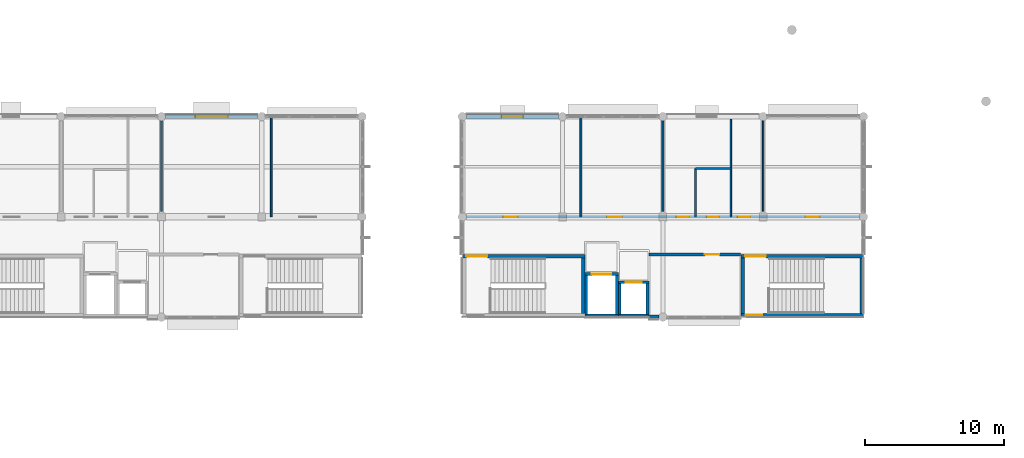
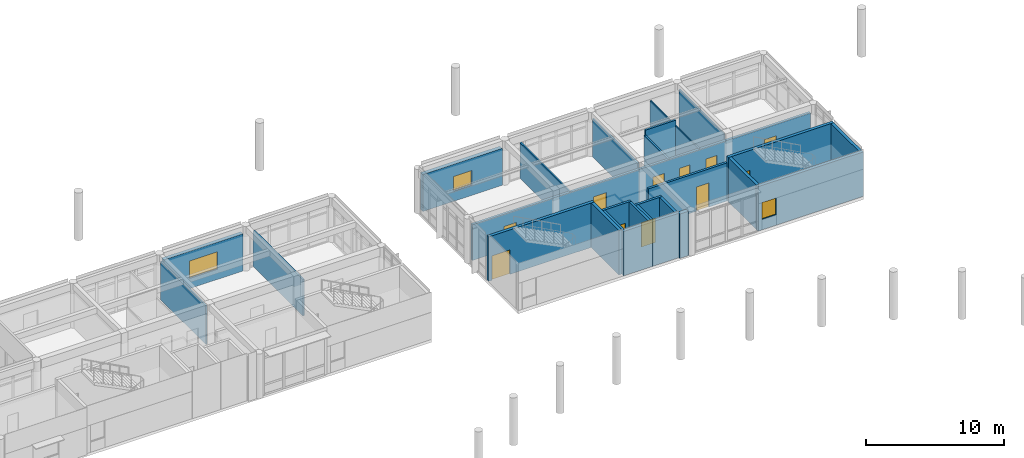
# One storey, part 15 of 29: 27 walls, 11 doors, 3 windows, 14 openings.
"""IFC4 building model written with IfcOpenShell, lengths in metres."""

from ifc_helpers import new_model, si_unit, direction, frame, frame_2d, origin, place, context, subcontext, project, spatial, rectangle, extrude, material, layer, layer_set, type_object, element, fill, save


model = new_model("IFC4")

# Units and contexts
model_context = context("Model", 3, precision=1e-05, world=origin(), true_north=direction((0.0, 1.0)))
body_context = subcontext(model_context, "Body", "Model", "MODEL_VIEW")
ifc_project = project(units=[si_unit("LENGTHUNIT", "METRE"), si_unit("AREAUNIT", "SQUARE_METRE"), si_unit("VOLUMEUNIT", "CUBIC_METRE"), si_unit("PLANEANGLEUNIT", "RADIAN"), si_unit("MASSUNIT", "GRAM", prefix="KILO")], contexts=[model_context])

# Site, building, storey
site_placement = place(None, origin())
site = spatial("IfcSite", under=ifc_project, at=site_placement, CompositionType="ELEMENT")
building_placement = place(site_placement, origin())
building = spatial("IfcBuilding", under=site, at=building_placement, Name="Namkhue Oval Health Centre", CompositionType="ELEMENT")
storey_placement = place(building_placement, frame((0.0, 0.0, 18.0)))
storey = spatial("IfcBuildingStorey", under=building, at=storey_placement, Name="L04", CompositionType="ELEMENT", Elevation=18.0)

# Wall, opening, window
ifc_material_1 = material(Name="Autoclaved aerated concrete blockwork M7.5", Category="masonry")
ifc_layer_1 = layer(ifc_material_1, 0.300048828125)
ifc_layer_set_1 = layer_set([ifc_layer_1], Name="Autoclaved aerated concrete blockwork M7.5")
wall_type_1 = type_object("IfcWallType", Name="EXTERIOR ENVELOPE WALL 300", PredefinedType="STANDARD", material=ifc_layer_set_1)
wall_1_placement = place(storey_placement, frame((78.905029296875, 104.39990234375, 0.0), z_axis=(0.0, 0.0, 1.0), x_axis=(-1.0, 0.0, 0.0)))
wall_1 = element("IfcWall", 1, at=wall_1_placement, inside=storey, type_object=wall_type_1, Name="Volume V2 L04 Exterior Envelope Wall 45", PredefinedType="STANDARD", context=body_context, shape_type="SweptSolid", body=[
    extrude(rectangle(XDim=6.610107421875, YDim=0.300048828125, at=frame_2d((3.30517578125, 0.0))), origin(), (0.0, 0.0, 1.0), 3.2900390625),
])
opening_1_placement = place(wall_1_placement, frame((2.1298828125, 0.0, 0.89990234375)))
opening_1 = element("IfcOpeningElement", 2, at=opening_1_placement, cuts=wall_1, Name="Opening WN-30", PredefinedType="OPENING", context=body_context, shape_type="SweptSolid", body=[
    extrude(rectangle(XDim=2.35009765625, YDim=1.5400390625, at=frame_2d((1.175048828125, 0.77001953125))), frame((0.0, 0.159912109375, 0.0), z_axis=(0.0, -1.0, 0.0), x_axis=(1.0, 0.0, 0.0)), (0.0, 0.0, 1.0), 0.320068359375),
])
ifc_material_2 = material(Name="Thermally broken low-E laminated double glazing", Category="glass")
window_type_1 = type_object("IfcWindowType", Name="EXTERIOR WINDOW 2350X1540", PartitioningType="SINGLE_PANEL", PredefinedType="WINDOW", material=ifc_material_2)
window_1_placement = place(opening_1_placement, origin())
window_1 = element("IfcWindow", 3, at=window_1_placement, inside=storey, type_object=window_type_1, Name="Volume V2 L04 Exterior Window 30", OverallHeight=1.5400390625, OverallWidth=2.35009765625, PartitioningType="SINGLE_PANEL", PredefinedType="WINDOW", context=body_context, shape_type="SweptSolid", body=[
    extrude(rectangle(XDim=2.35009765625, YDim=1.5400390625, at=frame_2d((1.175048828125, 0.77001953125))), frame((0.0, 0.030029296875, 0.0), z_axis=(0.0, -1.0, 0.0), x_axis=(1.0, 0.0, 0.0)), (0.0, 0.0, 1.0), 0.06005859375),
])
fill(opening_1, window_1)

# Wall
ifc_layer_2 = layer(ifc_material_1, 0.31005859375)
ifc_layer_set_2 = layer_set([ifc_layer_2], Name="Autoclaved aerated concrete blockwork M7.5")
wall_type_2 = type_object("IfcWallType", Name="EXTERIOR ENVELOPE WALL 310", PredefinedType="STANDARD", material=ifc_layer_set_2)
wall_2_placement = place(storey_placement, frame((107.001953125, 90.0, 0.0), z_axis=(0.0, 0.0, 1.0), x_axis=(1.0, 0.0, 0.0)))
element("IfcWall", 4, at=wall_2_placement, inside=storey, type_object=wall_type_2, Name="Volume V3 L04 Exterior Envelope Wall 78", PredefinedType="STANDARD", context=body_context, shape_type="SweptSolid", body=[
    extrude(rectangle(XDim=0.703125, YDim=0.31005859375, at=frame_2d((0.3515625, 0.0))), origin(), (0.0, 0.0, 1.0), 3.9150390625),
])

# Wall, opening, window
ifc_layer_3 = layer(ifc_material_1, 0.330078125)
ifc_layer_set_3 = layer_set([ifc_layer_3], Name="Autoclaved aerated concrete blockwork M7.5")
wall_type_3 = type_object("IfcWallType", Name="EXTERIOR ENVELOPE WALL 330", PredefinedType="STANDARD", material=ifc_layer_set_3)
wall_3_placement = place(storey_placement, frame((100.5048828125, 104.39990234375, 0.0), z_axis=(0.0, 0.0, 1.0), x_axis=(-1.0, 0.0, 0.0)))
wall_3 = element("IfcWall", 5, at=wall_3_placement, inside=storey, type_object=wall_type_3, Name="Volume V3 L04 Exterior Envelope Wall 80", PredefinedType="STANDARD", context=body_context, shape_type="SweptSolid", body=[
    extrude(rectangle(XDim=6.60986328125, YDim=0.330078125, at=frame_2d((3.304931640625, 0.0))), origin(), (0.0, 0.0, 1.0), 3.264892578125),
])
opening_2_placement = place(wall_3_placement, frame((2.530029296875, 0.0, 0.89990234375)))
opening_2 = element("IfcOpeningElement", 6, at=opening_2_placement, cuts=wall_3, Name="Opening WN-07", PredefinedType="OPENING", context=body_context, shape_type="SweptSolid", body=[
    extrude(rectangle(XDim=1.550048828125, YDim=1.300048828125, at=frame_2d((0.77490234375, 0.64990234375))), frame((0.0, 0.175048828125, 0.0), z_axis=(0.0, -1.0, 0.0), x_axis=(1.0, 0.0, 0.0)), (0.0, 0.0, 1.0), 0.35009765625),
])
window_type_2 = type_object("IfcWindowType", Name="EXTERIOR WINDOW 1550X1300", PartitioningType="SINGLE_PANEL", PredefinedType="WINDOW", material=ifc_material_2)
window_2_placement = place(opening_2_placement, origin())
window_2 = element("IfcWindow", 7, at=window_2_placement, inside=storey, type_object=window_type_2, Name="Volume V3 L04 Exterior Window 52", OverallHeight=1.300048828125, OverallWidth=1.550048828125, PartitioningType="SINGLE_PANEL", PredefinedType="WINDOW", context=body_context, shape_type="SweptSolid", body=[
    extrude(rectangle(XDim=1.550048828125, YDim=1.300048828125, at=frame_2d((0.77490234375, 0.64990234375))), frame((0.0, 0.030029296875, 0.0), z_axis=(0.0, -1.0, 0.0), x_axis=(1.0, 0.0, 0.0)), (0.0, 0.0, 1.0), 0.06005859375),
])
fill(opening_2, window_2)

# Wall, openings, doors
ifc_material_3 = material(Name="Gypsum plasterboard acoustic partition", Category="gypsum")
ifc_layer_4 = layer(ifc_material_3, 0.195068359375)
ifc_layer_set_4 = layer_set([ifc_layer_4], Name="Gypsum plasterboard acoustic partition")
wall_type_4 = type_object("IfcWallType", Name="FIRE PARTITION WALL 195", PredefinedType="PARTITIONING", material=ifc_layer_set_4)
wall_4_placement = place(storey_placement, frame((93.89990234375, 97.199951171875, 0.0), z_axis=(0.0, 0.0, 1.0), x_axis=(1.0, 0.0, 0.0)))
wall_4 = element("IfcWall", 8, at=wall_4_placement, inside=storey, type_object=wall_type_4, Name="Volume V3 L04 Clinical Partition Wall 143", PredefinedType="PARTITIONING", context=body_context, shape_type="SweptSolid", body=[
    extrude(rectangle(XDim=28.2001953125, YDim=0.195068359375, at=frame_2d((14.10009765625, 0.0))), origin(), (0.0, 0.0, 1.0), 3.1650390625),
])
opening_3_placement = place(wall_4_placement, frame((2.64599609375, 0.0, 0.0)))
opening_3 = element("IfcOpeningElement", 9, at=opening_3_placement, cuts=wall_4, Name="Opening CD-04", PredefinedType="OPENING", context=body_context, shape_type="SweptSolid", body=[
    extrude(rectangle(XDim=1.02001953125, YDim=2.080078125, at=frame_2d((0.510009765625, 1.0400390625))), frame((0.0, 0.107421875, 0.0), z_axis=(0.0, -1.0, 0.0), x_axis=(1.0, 0.0, 0.0)), (0.0, 0.0, 1.0), 0.215087890625),
])
opening_4_placement = place(wall_4_placement, frame((10.10107421875, 0.0, 0.0)))
opening_4 = element("IfcOpeningElement", 10, at=opening_4_placement, cuts=wall_4, Name="Opening CD-05", PredefinedType="OPENING", context=body_context, shape_type="SweptSolid", body=[
    extrude(rectangle(XDim=1.06005859375, YDim=2.080078125, at=frame_2d((0.530029296875, 1.0400390625))), frame((0.0, 0.107421875, 0.0), z_axis=(0.0, -1.0, 0.0), x_axis=(1.0, 0.0, 0.0)), (0.0, 0.0, 1.0), 0.215087890625),
])
opening_5_placement = place(wall_4_placement, frame((15.070068359375, 0.0, 0.0)))
opening_5 = element("IfcOpeningElement", 11, at=opening_5_placement, cuts=wall_4, Name="Opening CD-02", PredefinedType="OPENING", context=body_context, shape_type="SweptSolid", body=[
    extrude(rectangle(XDim=0.93994140625, YDim=2.080078125, at=frame_2d((0.469970703125, 1.0400390625))), frame((0.0, 0.107421875, 0.0), z_axis=(0.0, -1.0, 0.0), x_axis=(1.0, 0.0, 0.0)), (0.0, 0.0, 1.0), 0.215087890625),
])
opening_6_placement = place(wall_4_placement, frame((17.260009765625, 0.0, 0.0)))
opening_6 = element("IfcOpeningElement", 12, at=opening_6_placement, cuts=wall_4, Name="Opening CD-01", PredefinedType="OPENING", context=body_context, shape_type="SweptSolid", body=[
    extrude(rectangle(XDim=0.89990234375, YDim=2.080078125, at=frame_2d((0.449951171875, 1.0400390625))), frame((0.0, 0.107421875, 0.0), z_axis=(0.0, -1.0, 0.0), x_axis=(1.0, 0.0, 0.0)), (0.0, 0.0, 1.0), 0.215087890625),
])
opening_7_placement = place(wall_4_placement, frame((19.489990234375, 0.0, 0.0)))
opening_7 = element("IfcOpeningElement", 13, at=opening_7_placement, cuts=wall_4, Name="Opening CD-07", PredefinedType="OPENING", context=body_context, shape_type="SweptSolid", body=[
    extrude(rectangle(XDim=0.89990234375, YDim=2.1298828125, at=frame_2d((0.449951171875, 1.06494140625))), frame((0.0, 0.107421875, 0.0), z_axis=(0.0, -1.0, 0.0), x_axis=(1.0, 0.0, 0.0)), (0.0, 0.0, 1.0), 0.215087890625),
])
opening_8_placement = place(wall_4_placement, frame((24.35693359375, 0.0, 0.0)))
opening_8 = element("IfcOpeningElement", 14, at=opening_8_placement, cuts=wall_4, Name="Opening CD-09", PredefinedType="OPENING", context=body_context, shape_type="SweptSolid", body=[
    extrude(rectangle(XDim=1.0, YDim=2.1298828125, at=frame_2d((0.5, 1.06494140625))), frame((0.0, 0.107421875, 0.0), z_axis=(0.0, -1.0, 0.0), x_axis=(1.0, 0.0, 0.0)), (0.0, 0.0, 1.0), 0.215087890625),
])
ifc_material_4 = material(Name="High-pressure laminate timber clinical door", Category="wood")
door_type_1 = type_object("IfcDoorType", Name="CLINICAL DOOR 1000X2130", OperationType="NOTDEFINED", PredefinedType="DOOR", material=ifc_material_4)
door_1_placement = place(opening_8_placement, origin())
door_1 = element("IfcDoor", 15, at=door_1_placement, inside=storey, type_object=door_type_1, Name="Volume V3 L04 Health Education Terrace Lounge Door 126", OperationType="SINGLE_SWING_LEFT", OverallHeight=2.1298828125, OverallWidth=1.0, PredefinedType="DOOR", context=body_context, shape_type="SweptSolid", body=[
    extrude(rectangle(XDim=1.0, YDim=2.1298828125, at=frame_2d((0.5, 1.06494140625))), frame((0.0, 0.02490234375, 0.0), z_axis=(0.0, -1.0, 0.0), x_axis=(1.0, 0.0, 0.0)), (0.0, 0.0, 1.0), 0.050048828125),
])
fill(opening_8, door_1)
door_type_2 = type_object("IfcDoorType", Name="CLINICAL DOOR 1020X2080", OperationType="NOTDEFINED", PredefinedType="DOOR", material=ifc_material_4)
door_2_placement = place(opening_3_placement, origin())
door_2 = element("IfcDoor", 16, at=door_2_placement, inside=storey, type_object=door_type_2, Name="Volume V3 L04 Clinical Administration Suite Door 121", OperationType="SINGLE_SWING_RIGHT", OverallHeight=2.080078125, OverallWidth=1.02001953125, PredefinedType="DOOR", context=body_context, shape_type="SweptSolid", body=[
    extrude(rectangle(XDim=1.02001953125, YDim=2.080078125, at=frame_2d((0.510009765625, 1.0400390625))), frame((0.0, 0.02490234375, 0.0), z_axis=(0.0, -1.0, 0.0), x_axis=(1.0, 0.0, 0.0)), (0.0, 0.0, 1.0), 0.050048828125),
])
fill(opening_3, door_2)
door_type_3 = type_object("IfcDoorType", Name="CLINICAL DOOR 1060X2080", OperationType="NOTDEFINED", PredefinedType="DOOR", material=ifc_material_4)
door_3_placement = place(opening_4_placement, origin())
door_3 = element("IfcDoor", 17, at=door_3_placement, inside=storey, type_object=door_type_3, Name="Volume V3 L04 On Call Duty Room Door 122", OperationType="SINGLE_SWING_LEFT", OverallHeight=2.080078125, OverallWidth=1.06005859375, PredefinedType="DOOR", context=body_context, shape_type="SweptSolid", body=[
    extrude(rectangle(XDim=1.06005859375, YDim=2.080078125, at=frame_2d((0.530029296875, 1.0400390625))), frame((0.0, 0.02490234375, 0.0), z_axis=(0.0, -1.0, 0.0), x_axis=(1.0, 0.0, 0.0)), (0.0, 0.0, 1.0), 0.050048828125),
])
fill(opening_4, door_3)
door_type_4 = type_object("IfcDoorType", Name="CLINICAL DOOR 900X2080", OperationType="NOTDEFINED", PredefinedType="DOOR", material=ifc_material_4)
door_4_placement = place(opening_6_placement, origin())
door_4 = element("IfcDoor", 18, at=door_4_placement, inside=storey, type_object=door_type_4, Name="Volume V3 L04 Accessible WC Door 124", OperationType="SINGLE_SWING_LEFT", OverallHeight=2.080078125, OverallWidth=0.89990234375, PredefinedType="DOOR", context=body_context, shape_type="SweptSolid", body=[
    extrude(rectangle(XDim=0.89990234375, YDim=2.080078125, at=frame_2d((0.449951171875, 1.0400390625))), frame((0.0, 0.02490234375, 0.0), z_axis=(0.0, -1.0, 0.0), x_axis=(1.0, 0.0, 0.0)), (0.0, 0.0, 1.0), 0.050048828125),
])
fill(opening_6, door_4)
door_type_5 = type_object("IfcDoorType", Name="CLINICAL DOOR 900X2130", OperationType="NOTDEFINED", PredefinedType="DOOR", material=ifc_material_4)
door_5_placement = place(opening_7_placement, origin())
door_5 = element("IfcDoor", 19, at=door_5_placement, inside=storey, type_object=door_type_5, Name="Volume V3 L04 Staff Washroom Door 125", OperationType="SINGLE_SWING_LEFT", OverallHeight=2.1298828125, OverallWidth=0.89990234375, PredefinedType="DOOR", context=body_context, shape_type="SweptSolid", body=[
    extrude(rectangle(XDim=0.89990234375, YDim=2.1298828125, at=frame_2d((0.449951171875, 1.06494140625))), frame((0.0, 0.02490234375, 0.0), z_axis=(0.0, -1.0, 0.0), x_axis=(1.0, 0.0, 0.0)), (0.0, 0.0, 1.0), 0.050048828125),
])
fill(opening_7, door_5)
door_type_6 = type_object("IfcDoorType", Name="CLINICAL DOOR 940X2080", OperationType="NOTDEFINED", PredefinedType="DOOR", material=ifc_material_4)
door_6_placement = place(opening_5_placement, origin())
door_6 = element("IfcDoor", 20, at=door_6_placement, inside=storey, type_object=door_type_6, Name="Volume V3 L04 Staff Pantry and Clean Utility Door 123", OperationType="SINGLE_SWING_RIGHT", OverallHeight=2.080078125, OverallWidth=0.93994140625, PredefinedType="DOOR", context=body_context, shape_type="SweptSolid", body=[
    extrude(rectangle(XDim=0.93994140625, YDim=2.080078125, at=frame_2d((0.469970703125, 1.0400390625))), frame((0.0, 0.02490234375, 0.0), z_axis=(0.0, -1.0, 0.0), x_axis=(1.0, 0.0, 0.0)), (0.0, 0.0, 1.0), 0.050048828125),
])
fill(opening_5, door_6)

# Wall, opening, door
wall_5_placement = place(storey_placement, frame((107.02001953125, 94.5, 0.0), z_axis=(0.0, 0.0, 1.0), x_axis=(1.0, 0.0, 0.0)))
wall_5 = element("IfcWall", 21, at=wall_5_placement, inside=storey, type_object=wall_type_4, Name="Volume V3 L04 Clinical Partition Wall 150", PredefinedType="PARTITIONING", context=body_context, shape_type="SweptSolid", body=[
    extrude(rectangle(XDim=6.56005859375, YDim=0.195068359375, at=frame_2d((3.280029296875, 0.0))), origin(), (0.0, 0.0, 1.0), 3.364990234375),
])
opening_9_placement = place(wall_5_placement, frame((3.9951171875, 0.0, 0.0)))
opening_9 = element("IfcOpeningElement", 22, at=opening_9_placement, cuts=wall_5, Name="Opening CD-10", PredefinedType="OPENING", context=body_context, shape_type="SweptSolid", body=[
    extrude(rectangle(XDim=1.050048828125, YDim=2.1298828125, at=frame_2d((0.52490234375, 1.06494140625))), frame((0.0, 0.107421875, 0.0), z_axis=(0.0, -1.0, 0.0), x_axis=(1.0, 0.0, 0.0)), (0.0, 0.0, 1.0), 0.215087890625),
])
door_type_7 = type_object("IfcDoorType", Name="CLINICAL DOOR 1050X2130", OperationType="NOTDEFINED", PredefinedType="DOOR", material=ifc_material_4)
door_7_placement = place(opening_9_placement, frame((1.050048828125, 0.0, 0.0), z_axis=(0.0, 0.0, 1.0), x_axis=(-1.0, 0.0, 0.0)))
door_7 = element("IfcDoor", 23, at=door_7_placement, inside=storey, type_object=door_type_7, Name="Volume V3 L04 Medical Director Consultation Office Door 127", OperationType="SINGLE_SWING_RIGHT", OverallHeight=2.1298828125, OverallWidth=1.050048828125, PredefinedType="DOOR", context=body_context, shape_type="SweptSolid", body=[
    extrude(rectangle(XDim=1.050048828125, YDim=2.1298828125, at=frame_2d((0.52490234375, 1.06494140625))), frame((0.0, 0.02490234375, 0.0), z_axis=(0.0, -1.0, 0.0), x_axis=(1.0, 0.0, 0.0)), (0.0, 0.0, 1.0), 0.050048828125),
])
fill(opening_9, door_7)

# Walls
ifc_layer_5 = layer(ifc_material_3, 0.10009765625)
ifc_layer_set_5 = layer_set([ifc_layer_5], Name="Gypsum plasterboard acoustic partition")
wall_type_5 = type_object("IfcWallType", Name="INTERIOR PARTITION WALL 100", PredefinedType="PARTITIONING", material=ifc_layer_set_5)
wall_6_placement = place(storey_placement, frame((112.8798828125, 97.199951171875, 0.0), z_axis=(0.0, 0.0, 1.0), x_axis=(0.0, 1.0, 0.0)))
element("IfcWall", 24, at=wall_6_placement, inside=storey, type_object=wall_type_5, Name="Volume V3 L04 Clinical Partition Wall 148", PredefinedType="PARTITIONING", context=body_context, shape_type="SweptSolid", body=[
    extrude(rectangle(XDim=7.01806640625, YDim=0.10009765625, at=frame_2d((3.509033203125, 0.0))), origin(), (0.0, 0.0, 1.0), 3.1650390625),
])
ifc_layer_6 = layer(ifc_material_3, 0.110107421875)
ifc_layer_set_6 = layer_set([ifc_layer_6], Name="Gypsum plasterboard acoustic partition")
wall_type_6 = type_object("IfcWallType", Name="INTERIOR PARTITION WALL 110", PredefinedType="PARTITIONING", material=ifc_layer_set_6)
wall_7_placement = place(storey_placement, frame((115.199951171875, 97.5888671875, 0.0), z_axis=(0.0, 0.0, 1.0), x_axis=(0.0, 1.0, 0.0)))
element("IfcWall", 25, at=wall_7_placement, inside=storey, type_object=wall_type_6, Name="Volume V3 L04 Clinical Partition Wall 149", PredefinedType="PARTITIONING", context=body_context, shape_type="SweptSolid", body=[
    extrude(rectangle(XDim=6.51123046875, YDim=0.110107421875, at=frame_2d((3.255615234375, 0.0))), origin(), (0.0, 0.0, 1.0), 3.402099609375),
])
ifc_layer_7 = layer(ifc_material_3, 0.1298828125)
ifc_layer_set_7 = layer_set([ifc_layer_7], Name="Gypsum plasterboard acoustic partition")
wall_type_7 = type_object("IfcWallType", Name="INTERIOR PARTITION WALL 130", PredefinedType="PARTITIONING", material=ifc_layer_set_7)
wall_8_placement = place(storey_placement, frame((72.0, 97.5888671875, 0.0), z_axis=(0.0, 0.0, 1.0), x_axis=(0.0, 1.0, 0.0)))
element("IfcWall", 26, at=wall_8_placement, inside=storey, type_object=wall_type_7, Name="Volume V2 L04 Clinical Partition Wall 88", PredefinedType="PARTITIONING", context=body_context, shape_type="SweptSolid", body=[
    extrude(rectangle(XDim=6.51123046875, YDim=0.1298828125, at=frame_2d((3.255615234375, 0.0))), origin(), (0.0, 0.0, 1.0), 3.389892578125),
])
wall_9_placement = place(storey_placement, frame((102.113037109375, 97.199951171875, 0.0), z_axis=(0.0, 0.0, 1.0), x_axis=(0.0, 1.0, 0.0)))
element("IfcWall", 27, at=wall_9_placement, inside=storey, type_object=wall_type_7, Name="Volume V3 L04 Clinical Partition Wall 144", PredefinedType="PARTITIONING", context=body_context, shape_type="SweptSolid", body=[
    extrude(rectangle(XDim=7.16015625, YDim=0.1298828125, at=frame_2d((3.580078125, 0.0))), origin(), (0.0, 0.0, 1.0), 3.1650390625),
])
ifc_layer_8 = layer(ifc_material_3, 0.139892578125)
ifc_layer_set_8 = layer_set([ifc_layer_8], Name="Gypsum plasterboard acoustic partition")
wall_type_8 = type_object("IfcWallType", Name="INTERIOR PARTITION WALL 140", PredefinedType="PARTITIONING", material=ifc_layer_set_8)
wall_10_placement = place(storey_placement, frame((79.8798828125, 97.199951171875, 0.0), z_axis=(0.0, 0.0, 1.0), x_axis=(0.0, 1.0, 0.0)))
element("IfcWall", 28, at=wall_10_placement, inside=storey, type_object=wall_type_8, Name="Volume V2 L04 Clinical Partition Wall 89", PredefinedType="PARTITIONING", context=body_context, shape_type="SweptSolid", body=[
    extrude(rectangle(XDim=7.16015625, YDim=0.139892578125, at=frame_2d((3.580078125, 0.0))), origin(), (0.0, 0.0, 1.0), 3.18994140625),
])
wall_11_placement = place(storey_placement, frame((108.0, 97.5888671875, 0.0), z_axis=(0.0, 0.0, 1.0), x_axis=(0.0, 1.0, 0.0)))
element("IfcWall", 29, at=wall_11_placement, inside=storey, type_object=wall_type_8, Name="Volume V3 L04 Clinical Partition Wall 145", PredefinedType="PARTITIONING", context=body_context, shape_type="SweptSolid", body=[
    extrude(rectangle(XDim=6.51123046875, YDim=0.139892578125, at=frame_2d((3.255615234375, 0.0))), origin(), (0.0, 0.0, 1.0), 3.364990234375),
])
ifc_layer_9 = layer(ifc_material_3, 0.14990234375)
ifc_layer_set_9 = layer_set([ifc_layer_9], Name="Gypsum plasterboard acoustic partition")
wall_type_9 = type_object("IfcWallType", Name="INTERIOR PARTITION WALL 150", PredefinedType="PARTITIONING", material=ifc_layer_set_9)
wall_12_placement = place(storey_placement, frame((110.340087890625, 97.199951171875, 0.0), z_axis=(0.0, 0.0, 1.0), x_axis=(0.0, 1.0, 0.0)))
element("IfcWall", 30, at=wall_12_placement, inside=storey, type_object=wall_type_9, Name="Volume V3 L04 Clinical Partition Wall 146", PredefinedType="PARTITIONING", context=body_context, shape_type="SweptSolid", body=[
    extrude(rectangle(XDim=3.47998046875, YDim=0.14990234375, at=frame_2d((1.739990234375, 0.0))), origin(), (0.0, 0.0, 1.0), 3.1650390625),
])
ifc_layer_10 = layer(ifc_material_3, 0.159912109375)
ifc_layer_set_10 = layer_set([ifc_layer_10], Name="Gypsum plasterboard acoustic partition")
wall_type_10 = type_object("IfcWallType", Name="INTERIOR PARTITION WALL 160", PredefinedType="PARTITIONING", material=ifc_layer_set_10)
wall_13_placement = place(storey_placement, frame((110.340087890625, 100.679931640625, 0.0), z_axis=(0.0, 0.0, 1.0), x_axis=(1.0, 0.0, 0.0)))
element("IfcWall", 31, at=wall_13_placement, inside=storey, type_object=wall_type_10, Name="Volume V3 L04 Clinical Partition Wall 147", PredefinedType="PARTITIONING", context=body_context, shape_type="SweptSolid", body=[
    extrude(rectangle(XDim=2.539794921875, YDim=0.159912109375, at=frame_2d((1.27001953125, 0.0))), origin(), (0.0, 0.0, 1.0), 3.614990234375),
])

# Wall, opening, window
ifc_material_5 = material(Name="Reinforced concrete C35/45 (TCVN B40)", Category="concrete")
ifc_layer_11 = layer(ifc_material_5, 0.25)
ifc_layer_set_11 = layer_set([ifc_layer_11], Name="Reinforced concrete C35/45 (TCVN B40)")
wall_type_11 = type_object("IfcWallType", Name="SHEAR CORE WALL EXT 250", PredefinedType="SHEAR", material=ifc_layer_set_11)
wall_14_placement = place(storey_placement, frame((113.60009765625, 90.125, 0.0), z_axis=(0.0, 0.0, 1.0), x_axis=(1.0, 0.0, 0.0)))
wall_14 = element("IfcWall", 32, at=wall_14_placement, inside=storey, type_object=wall_type_11, Name="Core SC-06 L04 Shear Wall S", PredefinedType="SHEAR", context=body_context, shape_type="SweptSolid", body=[
    extrude(rectangle(XDim=8.7998046875, YDim=0.25, at=frame_2d((4.39990234375, 0.0))), origin(), (0.0, 0.0, 1.0), 3.9150390625),
])
opening_10_placement = place(wall_14_placement, frame((0.35009765625, 0.0, 0.919921875)))
opening_10 = element("IfcOpeningElement", 33, at=opening_10_placement, cuts=wall_14, Name="Opening SWN-01", PredefinedType="OPENING", context=body_context, shape_type="SweptSolid", body=[
    extrude(rectangle(XDim=1.179931640625, YDim=1.47998046875, at=frame_2d((0.58984375, 0.739990234375))), frame((0.0, 0.135009765625, 0.0), z_axis=(0.0, -1.0, 0.0), x_axis=(1.0, 0.0, 0.0)), (0.0, 0.0, 1.0), 0.27001953125),
])
ifc_material_6 = material(Name="Fire-rated insulated safety double glazing", Category="glass")
window_type_3 = type_object("IfcWindowType", Name="EXTERIOR WINDOW STAIRWELL 1180X1480", PartitioningType="SINGLE_PANEL", PredefinedType="WINDOW", material=ifc_material_6)
window_3_placement = place(opening_10_placement, origin())
window_3 = element("IfcWindow", 34, at=window_3_placement, inside=storey, type_object=window_type_3, Name="Stair ST-06 L04 Stairwell Daylight Window", OverallHeight=1.47998046875, OverallWidth=1.179931640625, PartitioningType="SINGLE_PANEL", PredefinedType="WINDOW", context=body_context, shape_type="SweptSolid", body=[
    extrude(rectangle(XDim=1.179931640625, YDim=1.47998046875, at=frame_2d((0.58984375, 0.739990234375))), frame((0.0, 0.030029296875, 0.0), z_axis=(0.0, -1.0, 0.0), x_axis=(1.0, 0.0, 0.0)), (0.0, 0.0, 1.0), 0.06005859375),
])
fill(opening_10, window_3)

# Walls
wall_15_placement = place(storey_placement, frame((122.27490234375, 90.25, 0.0), z_axis=(0.0, 0.0, 1.0), x_axis=(0.0, 1.0, 0.0)))
element("IfcWall", 35, at=wall_15_placement, inside=storey, type_object=wall_type_11, Name="Core SC-06 L04 Shear Wall E", PredefinedType="SHEAR", context=body_context, shape_type="SweptSolid", body=[
    extrude(rectangle(XDim=4.0, YDim=0.25, at=frame_2d((2.0, 0.0))), origin(), (0.0, 0.0, 1.0), 3.9150390625),
])
wall_16_placement = place(storey_placement, frame((102.39990234375, 90.10009765625, 0.0), z_axis=(0.0, 0.0, 1.0), x_axis=(1.0, 0.0, 0.0)))
element("IfcWall", 36, at=wall_16_placement, inside=storey, type_object=wall_type_11, Name="Lift LF-03 L04 Shaft Wall S", PredefinedType="SHEAR", context=body_context, shape_type="SweptSolid", body=[
    extrude(rectangle(XDim=2.400146484375, YDim=0.25, at=frame_2d((1.2001953125, 0.0))), origin(), (0.0, 0.0, 1.0), 3.9150390625),
])
wall_17_placement = place(storey_placement, frame((104.800048828125, 90.10009765625, 0.0), z_axis=(0.0, 0.0, 1.0), x_axis=(1.0, 0.0, 0.0)))
element("IfcWall", 37, at=wall_17_placement, inside=storey, type_object=wall_type_11, Name="Lift LF-04 L04 Shaft Wall S", PredefinedType="SHEAR", context=body_context, shape_type="SweptSolid", body=[
    extrude(rectangle(XDim=2.199951171875, YDim=0.25, at=frame_2d((1.10009765625, 0.0))), origin(), (0.0, 0.0, 1.0), 3.9150390625),
])
ifc_layer_12 = layer(ifc_material_5, 0.199951171875)
ifc_layer_set_12 = layer_set([ifc_layer_12], Name="Reinforced concrete C35/45 (TCVN B40)")
wall_type_12 = type_object("IfcWallType", Name="SHEAR CORE WALL INT 200", PredefinedType="SHEAR", material=ifc_layer_set_12)
wall_18_placement = place(storey_placement, frame((104.699951171875, 90.199951171875, 0.0), z_axis=(0.0, 0.0, 1.0), x_axis=(0.0, 1.0, 0.0)))
element("IfcWall", 38, at=wall_18_placement, inside=storey, type_object=wall_type_12, Name="Lift LF-03 L04 Shaft Wall E", PredefinedType="SHEAR", context=body_context, shape_type="SweptSolid", body=[
    extrude(rectangle(XDim=2.800048828125, YDim=0.199951171875, at=frame_2d((1.39990234375, 0.0))), origin(), (0.0, 0.0, 1.0), 3.9150390625),
])

# Wall, opening, door
wall_19_placement = place(storey_placement, frame((104.800048828125, 93.10009765625, 0.0), z_axis=(0.0, 0.0, 1.0), x_axis=(-1.0, 0.0, 0.0)))
wall_19 = element("IfcWall", 39, at=wall_19_placement, inside=storey, type_object=wall_type_12, Name="Lift LF-03 L04 Shaft Wall N", PredefinedType="SHEAR", context=body_context, shape_type="SweptSolid", body=[
    extrude(rectangle(XDim=2.400146484375, YDim=0.199951171875, at=frame_2d((1.2001953125, 0.0))), origin(), (0.0, 0.0, 1.0), 3.9150390625),
])
opening_11_placement = place(wall_19_placement, frame((0.5, 0.0, 0.0)))
opening_11 = element("IfcOpeningElement", 40, at=opening_11_placement, cuts=wall_19, Name="Opening LD-01", PredefinedType="OPENING", context=body_context, shape_type="SweptSolid", body=[
    extrude(rectangle(XDim=1.39990234375, YDim=2.14990234375, at=frame_2d((0.699951171875, 1.074951171875))), frame((0.0, 0.10986328125, 0.0), z_axis=(0.0, -1.0, 0.0), x_axis=(1.0, 0.0, 0.0)), (0.0, 0.0, 1.0), 0.219970703125),
])
ifc_material_7 = material(Name="Powder-coated steel fire door assembly", Category="steel")
door_type_8 = type_object("IfcDoorType", Name="LIFT LANDING DOOR STRETCHER 1400X2150", OperationType="DOUBLE_DOOR_SLIDING", PredefinedType="DOOR", material=ifc_material_7)
door_8_placement = place(opening_11_placement, frame((1.39990234375, 0.0, 0.0), z_axis=(0.0, 0.0, 1.0), x_axis=(-1.0, 0.0, 0.0)))
door_8 = element("IfcDoor", 41, at=door_8_placement, inside=storey, type_object=door_type_8, Name="Lift LF-03 L04 Sliding Landing Door", OperationType="DOUBLE_DOOR_SLIDING", OverallHeight=2.14990234375, OverallWidth=1.39990234375, PredefinedType="DOOR", context=body_context, shape_type="SweptSolid", body=[
    extrude(rectangle(XDim=1.39990234375, YDim=2.14990234375, at=frame_2d((0.699951171875, 1.074951171875))), frame((0.0, 0.02490234375, 0.0), z_axis=(0.0, -1.0, 0.0), x_axis=(1.0, 0.0, 0.0)), (0.0, 0.0, 1.0), 0.050048828125),
])
fill(opening_11, door_8)

# Walls
wall_20_placement = place(storey_placement, frame((102.5, 93.0, 0.0), z_axis=(0.0, 0.0, 1.0), x_axis=(0.0, -1.0, 0.0)))
element("IfcWall", 42, at=wall_20_placement, inside=storey, type_object=wall_type_12, Name="Lift LF-03 L04 Shaft Wall W", PredefinedType="SHEAR", context=body_context, shape_type="SweptSolid", body=[
    extrude(rectangle(XDim=2.800048828125, YDim=0.199951171875, at=frame_2d((1.39990234375, 0.0))), origin(), (0.0, 0.0, 1.0), 3.9150390625),
])
wall_21_placement = place(storey_placement, frame((106.89990234375, 90.199951171875, 0.0), z_axis=(0.0, 0.0, 1.0), x_axis=(0.0, 1.0, 0.0)))
element("IfcWall", 43, at=wall_21_placement, inside=storey, type_object=wall_type_12, Name="Lift LF-04 L04 Shaft Wall E", PredefinedType="SHEAR", context=body_context, shape_type="SweptSolid", body=[
    extrude(rectangle(XDim=2.199951171875, YDim=0.199951171875, at=frame_2d((1.10009765625, 0.0))), origin(), (0.0, 0.0, 1.0), 3.9150390625),
])

# Wall, opening, door
wall_22_placement = place(storey_placement, frame((107.0, 92.5, 0.0), z_axis=(0.0, 0.0, 1.0), x_axis=(-1.0, 0.0, 0.0)))
wall_22 = element("IfcWall", 44, at=wall_22_placement, inside=storey, type_object=wall_type_12, Name="Lift LF-04 L04 Shaft Wall N", PredefinedType="SHEAR", context=body_context, shape_type="SweptSolid", body=[
    extrude(rectangle(XDim=2.199951171875, YDim=0.199951171875, at=frame_2d((1.10009765625, 0.0))), origin(), (0.0, 0.0, 1.0), 3.9150390625),
])
opening_12_placement = place(wall_22_placement, frame((0.52490234375, 0.0, 0.0)))
opening_12 = element("IfcOpeningElement", 45, at=opening_12_placement, cuts=wall_22, Name="Opening LD-02", PredefinedType="OPENING", context=body_context, shape_type="SweptSolid", body=[
    extrude(rectangle(XDim=1.14990234375, YDim=2.14990234375, at=frame_2d((0.574951171875, 1.074951171875))), frame((0.0, 0.10986328125, 0.0), z_axis=(0.0, -1.0, 0.0), x_axis=(1.0, 0.0, 0.0)), (0.0, 0.0, 1.0), 0.219970703125),
])
door_type_9 = type_object("IfcDoorType", Name="LIFT LANDING DOOR PASSENGER 1150X2150", OperationType="DOUBLE_DOOR_SLIDING", PredefinedType="DOOR", material=ifc_material_7)
door_9_placement = place(opening_12_placement, frame((1.14990234375, 0.0, 0.0), z_axis=(0.0, 0.0, 1.0), x_axis=(-1.0, 0.0, 0.0)))
door_9 = element("IfcDoor", 46, at=door_9_placement, inside=storey, type_object=door_type_9, Name="Lift LF-04 L04 Sliding Landing Door", OperationType="DOUBLE_DOOR_SLIDING", OverallHeight=2.14990234375, OverallWidth=1.14990234375, PredefinedType="DOOR", context=body_context, shape_type="SweptSolid", body=[
    extrude(rectangle(XDim=1.14990234375, YDim=2.14990234375, at=frame_2d((0.574951171875, 1.074951171875))), frame((0.0, 0.02490234375, 0.0), z_axis=(0.0, -1.0, 0.0), x_axis=(1.0, 0.0, 0.0)), (0.0, 0.0, 1.0), 0.050048828125),
])
fill(opening_12, door_9)

# Walls
wall_23_placement = place(storey_placement, frame((104.89990234375, 92.39990234375, 0.0), z_axis=(0.0, 0.0, 1.0), x_axis=(0.0, -1.0, 0.0)))
element("IfcWall", 47, at=wall_23_placement, inside=storey, type_object=wall_type_12, Name="Lift LF-04 L04 Shaft Wall W", PredefinedType="SHEAR", context=body_context, shape_type="SweptSolid", body=[
    extrude(rectangle(XDim=2.199951171875, YDim=0.199951171875, at=frame_2d((1.10009765625, 0.0))), origin(), (0.0, 0.0, 1.0), 3.9150390625),
])
ifc_layer_13 = layer(ifc_material_5, 0.25)
ifc_layer_set_13 = layer_set([ifc_layer_13], Name="Reinforced concrete C35/45 (TCVN B40)")
wall_type_13 = type_object("IfcWallType", Name="SHEAR CORE WALL INT 250", PredefinedType="SHEAR", material=ifc_layer_set_13)
wall_24_placement = place(storey_placement, frame((102.27490234375, 90.25, 0.0), z_axis=(0.0, 0.0, 1.0), x_axis=(0.0, 1.0, 0.0)))
element("IfcWall", 48, at=wall_24_placement, inside=storey, type_object=wall_type_13, Name="Core SC-05 L04 Shear Wall E", PredefinedType="SHEAR", context=body_context, shape_type="SweptSolid", body=[
    extrude(rectangle(XDim=4.0, YDim=0.25, at=frame_2d((2.0, 0.0))), origin(), (0.0, 0.0, 1.0), 3.9150390625),
])

# Wall, opening, door
wall_25_placement = place(storey_placement, frame((102.39990234375, 94.375, 0.0), z_axis=(0.0, 0.0, 1.0), x_axis=(-1.0, 0.0, 0.0)))
wall_25 = element("IfcWall", 49, at=wall_25_placement, inside=storey, type_object=wall_type_13, Name="Core SC-05 L04 Shear Wall N", PredefinedType="SHEAR", context=body_context, shape_type="SweptSolid", body=[
    extrude(rectangle(XDim=8.7998046875, YDim=0.25, at=frame_2d((4.39990234375, 0.0))), origin(), (0.0, 0.0, 1.0), 3.9150390625),
])
opening_13_placement = place(wall_25_placement, frame((7.0, 0.0, 0.0)))
opening_13 = element("IfcOpeningElement", 50, at=opening_13_placement, cuts=wall_25, Name="Opening SD-I1", PredefinedType="OPENING", context=body_context, shape_type="SweptSolid", body=[
    extrude(rectangle(XDim=1.5, YDim=2.14990234375, at=frame_2d((0.75, 1.074951171875))), frame((0.0, 0.135009765625, 0.0), z_axis=(0.0, -1.0, 0.0), x_axis=(1.0, 0.0, 0.0)), (0.0, 0.0, 1.0), 0.27001953125),
])
door_type_10 = type_object("IfcDoorType", Name="CLINICAL DOOR STAIR CORE 1500X2150", OperationType="DOUBLE_DOOR_SINGLE_SWING", PredefinedType="DOOR", material=ifc_material_7)
door_10_placement = place(opening_13_placement, origin())
door_10 = element("IfcDoor", 51, at=door_10_placement, inside=storey, type_object=door_type_10, Name="Stair ST-05 L04 Stair Enclosure Fire Door", OperationType="DOUBLE_DOOR_SINGLE_SWING", OverallHeight=2.14990234375, OverallWidth=1.5, PredefinedType="DOOR", context=body_context, shape_type="SweptSolid", body=[
    extrude(rectangle(XDim=1.5, YDim=2.14990234375, at=frame_2d((0.75, 1.074951171875))), frame((0.0, 0.02490234375, 0.0), z_axis=(0.0, -1.0, 0.0), x_axis=(1.0, 0.0, 0.0)), (0.0, 0.0, 1.0), 0.050048828125),
])
fill(opening_13, door_10)

wall_26_placement = place(storey_placement, frame((122.39990234375, 94.375, 0.0), z_axis=(0.0, 0.0, 1.0), x_axis=(-1.0, 0.0, 0.0)))
wall_26 = element("IfcWall", 52, at=wall_26_placement, inside=storey, type_object=wall_type_13, Name="Core SC-06 L04 Shear Wall N", PredefinedType="SHEAR", context=body_context, shape_type="SweptSolid", body=[
    extrude(rectangle(XDim=8.7998046875, YDim=0.25, at=frame_2d((4.39990234375, 0.0))), origin(), (0.0, 0.0, 1.0), 3.9150390625),
])
opening_14_placement = place(wall_26_placement, frame((7.0, 0.0, 0.0)))
opening_14 = element("IfcOpeningElement", 53, at=opening_14_placement, cuts=wall_26, Name="Opening SD-I1", PredefinedType="OPENING", context=body_context, shape_type="SweptSolid", body=[
    extrude(rectangle(XDim=1.5, YDim=2.14990234375, at=frame_2d((0.75, 1.074951171875))), frame((0.0, 0.135009765625, 0.0), z_axis=(0.0, -1.0, 0.0), x_axis=(1.0, 0.0, 0.0)), (0.0, 0.0, 1.0), 0.27001953125),
])
door_11_placement = place(opening_14_placement, origin())
door_11 = element("IfcDoor", 54, at=door_11_placement, inside=storey, type_object=door_type_10, Name="Stair ST-06 L04 Stair Enclosure Fire Door", OperationType="DOUBLE_DOOR_SINGLE_SWING", OverallHeight=2.14990234375, OverallWidth=1.5, PredefinedType="DOOR", context=body_context, shape_type="SweptSolid", body=[
    extrude(rectangle(XDim=1.5, YDim=2.14990234375, at=frame_2d((0.75, 1.074951171875))), frame((0.0, 0.02490234375, 0.0), z_axis=(0.0, -1.0, 0.0), x_axis=(1.0, 0.0, 0.0)), (0.0, 0.0, 1.0), 0.050048828125),
])
fill(opening_14, door_11)

# Wall
wall_27_placement = place(storey_placement, frame((113.72509765625, 94.25, 0.0), z_axis=(0.0, 0.0, 1.0), x_axis=(0.0, -1.0, 0.0)))
element("IfcWall", 55, at=wall_27_placement, inside=storey, type_object=wall_type_13, Name="Core SC-06 L04 Shear Wall W", PredefinedType="SHEAR", context=body_context, shape_type="SweptSolid", body=[
    extrude(rectangle(XDim=4.0, YDim=0.25, at=frame_2d((2.0, 0.0))), origin(), (0.0, 0.0, 1.0), 3.9150390625),
])

save(model, "model.ifc")
